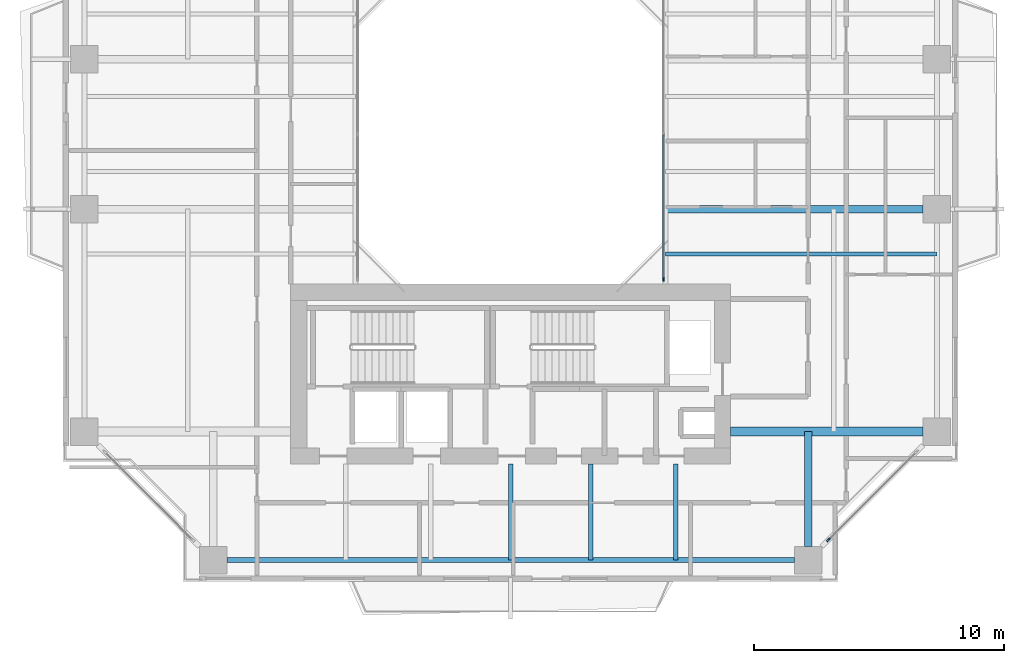
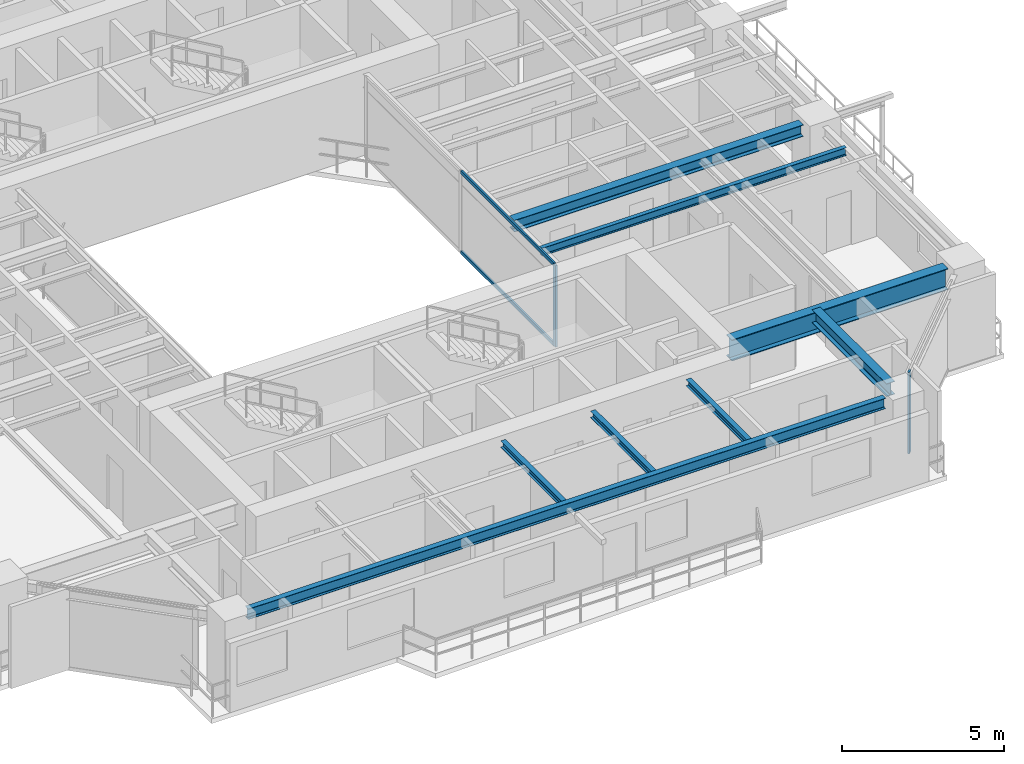
# One storey, part 4 of 17: 8 beams, 4 members, 2 elements without a shape of their own.
"""IFC4 building model written with IfcOpenShell, lengths in metres."""

from ifc_helpers import new_model, si_unit, direction, frame, origin, origin_2d, place, context, subcontext, project, spatial, rectangle, i_section, extrude, source, transform, mapped, material, layer, layer_set, material_profile, profile_set, type_object, element, aggregate, save


model = new_model("IFC4")

# Units and contexts
model_context = context("Model", 3, precision=1e-05, world=origin(), true_north=direction((0.0, 1.0)))
body_context = subcontext(model_context, "Body", "Model", "MODEL_VIEW")
ifc_project = project(units=[si_unit("LENGTHUNIT", "METRE"), si_unit("AREAUNIT", "SQUARE_METRE"), si_unit("VOLUMEUNIT", "CUBIC_METRE"), si_unit("PLANEANGLEUNIT", "RADIAN"), si_unit("MASSUNIT", "GRAM", prefix="KILO"), si_unit("THERMODYNAMICTEMPERATUREUNIT", "KELVIN"), si_unit("POWERUNIT", "WATT")], contexts=[model_context])

# Site, building, storey
site_placement = place(None, origin())
site = spatial("IfcSite", under=ifc_project, at=site_placement, CompositionType="ELEMENT")
building_placement = place(site_placement, origin())
building = spatial("IfcBuilding", under=site, at=building_placement, Name="Qiaomeng Ring Towers", CompositionType="ELEMENT")
storey_placement = place(building_placement, frame((0.0, 0.0, 119.75)))
storey = spatial("IfcBuildingStorey", under=building, at=storey_placement, Name="L34", CompositionType="ELEMENT", Elevation=119.75)

# Beams
ifc_material_1 = material(Name="Steel Q355B", Category="steel")
ifc_material_profile_1 = material_profile(ifc_material_1, i_section(OverallWidth=0.199951171875, OverallDepth=0.39990234375, WebThickness=0.008056640625, FlangeThickness=0.012939453125, FilletRadius=0.01611328125, at=origin_2d()), Name="HN 400x200x8x13")
ifc_profile_set_1 = profile_set([ifc_material_profile_1], Name="Steel Q355B")
beam_type_1 = type_object("IfcBeamType", Name="STR-BM-HN400", PredefinedType="SPANDREL", material=ifc_profile_set_1)
shared_shape_1 = source(origin(), body_context, "Body", "SweptSolid", [
    extrude(i_section(OverallWidth=0.199951171875, OverallDepth=0.39990234375, WebThickness=0.008056640625, FlangeThickness=0.012939453125, FilletRadius=0.01611328125, at=origin_2d()), origin(), (0.0, 0.0, 1.0), 22.7021484375),
])
beam_1_placement = place(storey_placement, frame((7.64892578125, 5.949951171875, 2.8701171875), z_axis=(1.0, 0.0, 0.0), x_axis=(0.0, 1.0, 0.0)))
element("IfcBeam", 1, at=beam_1_placement, inside=storey, type_object=beam_type_1, Name="L34 beam STR-SP-L34-T1-S1-S2", PredefinedType="SPANDREL", context=body_context, shape_type="MappedRepresentation", body=[
    mapped(shared_shape_1, transform((0.0, 0.0, 0.0), x_axis=(1.0, 0.0, 0.0), y_axis=(0.0, 1.0, 0.0), z_axis=(0.0, 0.0, 1.0), scale=1.0)),
])
ifc_material_2 = material(Name="Steel Q390GJC", Category="steel")
ifc_material_profile_2 = material_profile(ifc_material_2, i_section(OverallWidth=0.35009765625, OverallDepth=0.800048828125, WebThickness=0.01611328125, FlangeThickness=0.028076171875, at=origin_2d()), Name="WH 800x350x16x28")
ifc_profile_set_2 = profile_set([ifc_material_profile_2], Name="Steel Q390GJC")
beam_type_2 = type_object("IfcBeamType", Name="STR-BM-WH800", PredefinedType="BEAM", material=ifc_profile_set_2)
shared_shape_2 = source(origin(), body_context, "Body", "SweptSolid", [
    extrude(i_section(OverallWidth=0.35009765625, OverallDepth=0.800048828125, WebThickness=0.01611328125, FlangeThickness=0.028076171875, at=origin_2d()), origin(), (0.0, 0.0, 1.0), 7.700927734375),
])
beam_2_placement = place(storey_placement, frame((27.800048828125, 11.10009765625, 2.669921875), z_axis=(1.0, 0.0, 0.0), x_axis=(0.0, 1.0, 0.0)))
element("IfcBeam", 2, at=beam_2_placement, inside=storey, type_object=beam_type_2, Name="L34 beam STR-BM-L34-T1-RAD-E1", PredefinedType="BEAM", context=body_context, shape_type="MappedRepresentation", body=[
    mapped(shared_shape_2, transform((0.0, 0.0, 0.0), x_axis=(1.0, 0.0, 0.0), y_axis=(0.0, 1.0, 0.0), z_axis=(0.0, 0.0, 1.0), scale=1.0)),
])
ifc_material_profile_3 = material_profile(ifc_material_1, i_section(OverallWidth=0.300048828125, OverallDepth=0.488037109375, WebThickness=0.010986328125, FlangeThickness=0.01806640625, FilletRadius=0.02587890625, at=origin_2d()), Name="HM 488x300x11x18")
ifc_profile_set_3 = profile_set([ifc_material_profile_3], Name="Steel Q355B")
beam_type_3 = type_object("IfcBeamType", Name="STR-BM-HM488", PredefinedType="BEAM", material=ifc_profile_set_3)
shared_shape_3 = source(origin(), body_context, "Body", "SweptSolid", [
    extrude(i_section(OverallWidth=0.300048828125, OverallDepth=0.488037109375, WebThickness=0.010986328125, FlangeThickness=0.01806640625, FilletRadius=0.02587890625, at=origin_2d()), origin(), (0.0, 0.0, 1.0), 4.60107421875),
])
beam_3_placement = place(storey_placement, frame((30.89990234375, 6.4990234375, 2.825927734375), z_axis=(0.0, 1.0, 0.0), x_axis=(-1.0, 0.0, 0.0)))
element("IfcBeam", 3, at=beam_3_placement, inside=storey, type_object=beam_type_3, Name="L34 beam STR-BM-L34-T1-RAD-S2", PredefinedType="BEAM", context=body_context, shape_type="MappedRepresentation", body=[
    mapped(shared_shape_3, transform((0.0, 0.0, 0.0), x_axis=(1.0, 0.0, 0.0), y_axis=(0.0, 1.0, 0.0), z_axis=(0.0, 0.0, 1.0), scale=1.0)),
])
ifc_material_profile_4 = material_profile(ifc_material_1, i_section(OverallWidth=0.300048828125, OverallDepth=0.43994140625, WebThickness=0.010986328125, FlangeThickness=0.01806640625, FilletRadius=0.02392578125, at=origin_2d()), Name="HM 440x300x11x18")
ifc_profile_set_4 = profile_set([ifc_material_profile_4], Name="Steel Q355B")
beam_type_4 = type_object("IfcBeamType", Name="STR-BM-HM440", PredefinedType="BEAM", material=ifc_profile_set_4)
shared_shape_4 = source(origin(), body_context, "Body", "SweptSolid", [
    extrude(i_section(OverallWidth=0.300048828125, OverallDepth=0.43994140625, WebThickness=0.010986328125, FlangeThickness=0.01806640625, FilletRadius=0.02392578125, at=origin_2d()), origin(), (0.0, 0.0, 1.0), 10.301025390625),
])
beam_4_placement = place(storey_placement, frame((25.199951171875, 20.0, 2.85009765625), z_axis=(1.0, 0.0, 0.0), x_axis=(0.0, 1.0, 0.0)))
element("IfcBeam", 4, at=beam_4_placement, inside=storey, type_object=beam_type_4, Name="L34 beam STR-BM-L34-T1-RAD-E2", PredefinedType="BEAM", context=body_context, shape_type="MappedRepresentation", body=[
    mapped(shared_shape_4, transform((0.0, 0.0, 0.0), x_axis=(1.0, 0.0, 0.0), y_axis=(0.0, 1.0, 0.0), z_axis=(0.0, 0.0, 1.0), scale=1.0)),
])
ifc_material_profile_5 = material_profile(ifc_material_1, i_section(OverallWidth=0.175048828125, OverallDepth=0.243896484375, WebThickness=0.007080078125, FlangeThickness=0.010986328125, FilletRadius=0.01611328125, at=origin_2d()), Name="HM 244x175x7x11")
ifc_profile_set_5 = profile_set([ifc_material_profile_5], Name="Steel Q355B")
beam_type_5 = type_object("IfcBeamType", Name="STR-BM-HM244", PredefinedType="JOIST", material=ifc_profile_set_5)
shared_shape_5 = source(origin(), body_context, "Body", "SweptSolid", [
    extrude(i_section(OverallWidth=0.175048828125, OverallDepth=0.243896484375, WebThickness=0.007080078125, FlangeThickness=0.010986328125, FilletRadius=0.01611328125, at=origin_2d()), origin(), (0.0, 0.0, 1.0), 3.85009765625),
])
for number, where, z_axis, x_axis, name in (
    (5, (19.0, 5.949951171875, 2.947998046875), (0.0, 1.0, 0.0), (-1.0, 0.0, 0.0), "L34 beam STR-JST-L34-T1S-3"),
    (6, (22.199951171875, 5.949951171875, 2.947998046875), (0.0, 1.0, 0.0), (-1.0, 0.0, 0.0), "L34 beam STR-JST-L34-T1S-4"),
    (7, (25.60009765625, 5.949951171875, 2.947998046875), (0.0, 1.0, 0.0), (-1.0, 0.0, 0.0), "L34 beam STR-JST-L34-T1S-5"),
):
    element("IfcBeam", number, at=place(storey_placement, frame(where, z_axis=z_axis, x_axis=x_axis)), inside=storey, type_object=beam_type_5, Name=name, PredefinedType="JOIST", context=body_context, shape_type="MappedRepresentation", body=[
        mapped(shared_shape_5, transform((0.0, 0.0, 0.0), x_axis=(1.0, 0.0, 0.0), y_axis=(0.0, 1.0, 0.0), z_axis=(0.0, 0.0, 1.0), scale=1.0)),
    ])
ifc_material_profile_6 = material_profile(ifc_material_1, i_section(OverallWidth=0.14990234375, OverallDepth=0.300048828125, WebThickness=0.006591796875, FlangeThickness=0.009033203125, FilletRadius=0.012939453125, at=origin_2d()), Name="HN 300x150x6.5x9")
ifc_profile_set_6 = profile_set([ifc_material_profile_6], Name="Steel Q355B")
beam_type_6 = type_object("IfcBeamType", Name="STR-BM-HN300", PredefinedType="JOIST", material=ifc_profile_set_6)
shared_shape_6 = source(origin(), body_context, "Body", "SweptSolid", [
    extrude(i_section(OverallWidth=0.14990234375, OverallDepth=0.300048828125, WebThickness=0.006591796875, FlangeThickness=0.009033203125, FilletRadius=0.012939453125, at=origin_2d()), origin(), (0.0, 0.0, 1.0), 10.85009765625),
])
beam_5_placement = place(storey_placement, frame((25.199951171875, 18.199951171875, 2.919921875), z_axis=(1.0, 0.0, 0.0), x_axis=(0.0, 1.0, 0.0)))
element("IfcBeam", 8, at=beam_5_placement, inside=storey, type_object=beam_type_6, Name="L34 beam STR-JST-L34-T1E-1", PredefinedType="JOIST", context=body_context, shape_type="MappedRepresentation", body=[
    mapped(shared_shape_6, transform((0.0, 0.0, 0.0), x_axis=(1.0, 0.0, 0.0), y_axis=(0.0, 1.0, 0.0), z_axis=(0.0, 0.0, 1.0), scale=1.0)),
])

# Curtain wall, members
ifc_material_3 = material(Name="Fluorocarbon dark-grey aluminium", Category="aluminium")
ifc_layer_1 = layer(ifc_material_3, 0.139892578125, Name="Fluorocarbon dark-grey aluminium")
ifc_layer_set_1 = layer_set([ifc_layer_1], Name="Fluorocarbon dark-grey aluminium")
curtain_wall_type_1 = type_object("IfcCurtainWallType", Name="ARC-CW-4", PredefinedType="NOTDEFINED", material=ifc_layer_set_1)
curtain_wall_1_placement = place(storey_placement, origin())
curtain_wall_1 = element("IfcCurtainWall", 9, at=curtain_wall_1_placement, inside=storey, type_object=curtain_wall_type_1, Name="L34 Curtain Wall CW4", PredefinedType="NOTDEFINED")
ifc_material_profile_7 = material_profile(ifc_material_3, rectangle(XDim=0.06494140625, YDim=0.159912109375, at=origin_2d()), Name="ALU MULL 65x160")
ifc_profile_set_7 = profile_set([ifc_material_profile_7], Name="Fluorocarbon dark-grey aluminium")
member_type_1 = type_object("IfcMemberType", Name="ARC-CWM-140", PredefinedType="MULLION", material=ifc_profile_set_7)
shared_shape_7 = source(origin(), body_context, "Body", "SweptSolid", [
    extrude(rectangle(XDim=0.06494140625, YDim=0.159912109375, at=origin_2d()), origin(), (0.0, 0.0, 1.0), 3.070068359375),
])
member_1_placement = place(storey_placement, frame((25.1201171875, 17.1826171875, 0.0), z_axis=(0.0, 0.0, 1.0), x_axis=(-1.0, 0.0, 0.0)))
member_1 = element("IfcMember", 10, at=member_1_placement, type_object=member_type_1, Name="CW4 mullion 1", PredefinedType="MULLION", context=body_context, shape_type="MappedRepresentation", body=[
    mapped(shared_shape_7, transform((0.0, 0.0, 0.0), x_axis=(1.0, 0.0, 0.0), y_axis=(0.0, 1.0, 0.0), z_axis=(0.0, 0.0, 1.0), scale=1.0)),
])
ifc_material_profile_8 = material_profile(ifc_material_3, rectangle(XDim=0.06494140625, YDim=0.1298828125, at=origin_2d()), Name="ALU TRAN 65x130")
ifc_profile_set_8 = profile_set([ifc_material_profile_8], Name="Fluorocarbon dark-grey aluminium")
member_type_2 = type_object("IfcMemberType", Name="ARC-CWT-120", PredefinedType="USERDEFINED", material=ifc_profile_set_8)
shared_shape_8 = source(origin(), body_context, "Body", "SweptSolid", [
    extrude(rectangle(XDim=0.06494140625, YDim=0.1298828125, at=origin_2d()), origin(), (0.0, 0.0, 1.0), 5.75244140625),
])
member_2_placement = place(storey_placement, frame((25.1201171875, 17.215087890625, 0.032470703125), z_axis=(0.0, 1.0, 0.0), x_axis=(-1.0, 0.0, 0.0)))
member_2 = element("IfcMember", 11, at=member_2_placement, type_object=member_type_2, Name="CW4 transom 1.1", ObjectType="TRANSOM", PredefinedType="USERDEFINED", context=body_context, shape_type="MappedRepresentation", body=[
    mapped(shared_shape_8, transform((0.0, 0.0, 0.0), x_axis=(1.0, 0.0, 0.0), y_axis=(0.0, 1.0, 0.0), z_axis=(0.0, 0.0, 1.0), scale=1.0)),
])
member_3_placement = place(storey_placement, frame((25.1201171875, 17.215087890625, 3.03759765625), z_axis=(0.0, 1.0, 0.0), x_axis=(-1.0, 0.0, 0.0)))
member_3 = element("IfcMember", 12, at=member_3_placement, type_object=member_type_2, Name="CW4 transom 1.2", ObjectType="TRANSOM", PredefinedType="USERDEFINED", context=body_context, shape_type="MappedRepresentation", body=[
    mapped(shared_shape_8, transform((0.0, 0.0, 0.0), x_axis=(1.0, 0.0, 0.0), y_axis=(0.0, 1.0, 0.0), z_axis=(0.0, 0.0, 1.0), scale=1.0)),
])
aggregate(curtain_wall_1, [member_1, member_2, member_3])

# Curtain wall, member
ifc_layer_2 = layer(ifc_material_3, 0.14990234375, Name="Fluorocarbon dark-grey aluminium")
ifc_layer_set_2 = layer_set([ifc_layer_2], Name="Fluorocarbon dark-grey aluminium")
curtain_wall_type_2 = type_object("IfcCurtainWallType", Name="ARC-CW-3", PredefinedType="NOTDEFINED", material=ifc_layer_set_2)
curtain_wall_2_placement = place(storey_placement, origin())
curtain_wall_2 = element("IfcCurtainWall", 13, at=curtain_wall_2_placement, inside=storey, type_object=curtain_wall_type_2, Name="L34 Curtain Wall CW3", PredefinedType="NOTDEFINED")
ifc_material_profile_9 = material_profile(ifc_material_3, rectangle(XDim=0.070068359375, YDim=0.179931640625, at=origin_2d()), Name="ALU MULL 70x180")
ifc_profile_set_9 = profile_set([ifc_material_profile_9], Name="Fluorocarbon dark-grey aluminium")
member_type_3 = type_object("IfcMemberType", Name="ARC-CWM-160", PredefinedType="MULLION", material=ifc_profile_set_9)
shared_shape_9 = source(origin(), body_context, "Body", "SweptSolid", [
    extrude(rectangle(XDim=0.070068359375, YDim=0.179931640625, at=origin_2d()), origin(), (0.0, 0.0, 1.0), 3.070068359375),
])
member_4_placement = place(storey_placement, frame((31.71484375, 6.7646484375, 0.0), z_axis=(0.0, 0.0, 1.0), x_axis=(-0.707106781187, 0.707106781187, 0.0)))
member_4 = element("IfcMember", 14, at=member_4_placement, type_object=member_type_3, Name="CW3 mullion 1", PredefinedType="MULLION", context=body_context, shape_type="MappedRepresentation", body=[
    mapped(shared_shape_9, transform((0.0, 0.0, 0.0), x_axis=(1.0, 0.0, 0.0), y_axis=(0.0, 1.0, 0.0), z_axis=(0.0, 0.0, 1.0), scale=1.0)),
])
aggregate(curtain_wall_2, [member_4])

save(model, "model.ifc")
